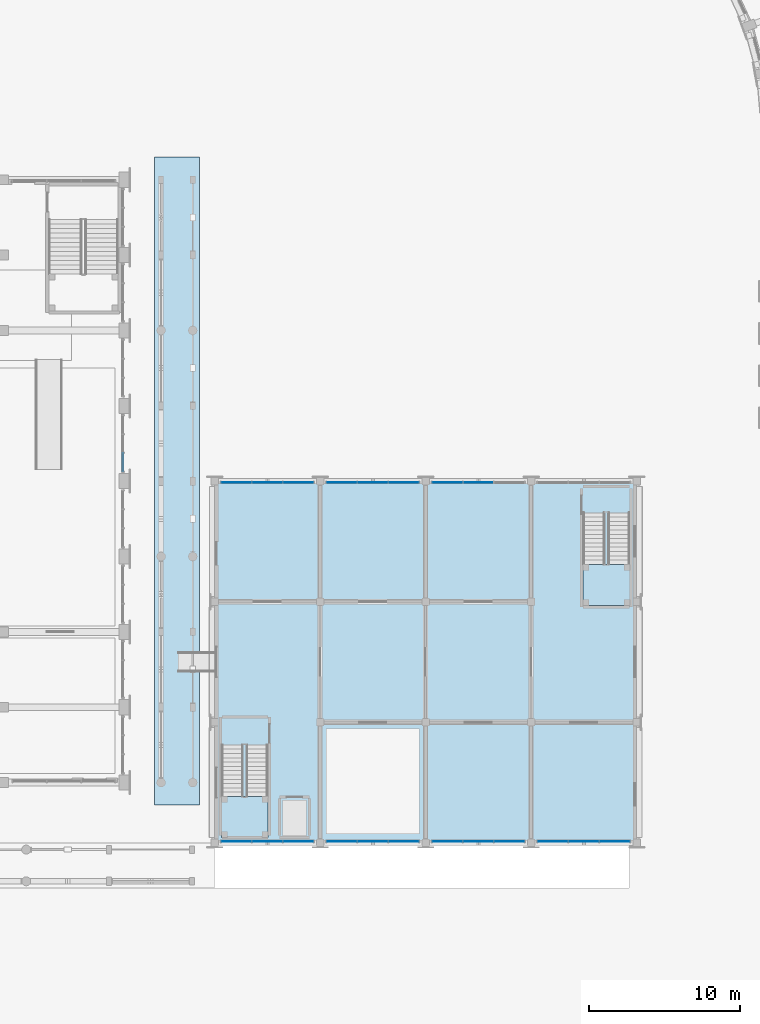
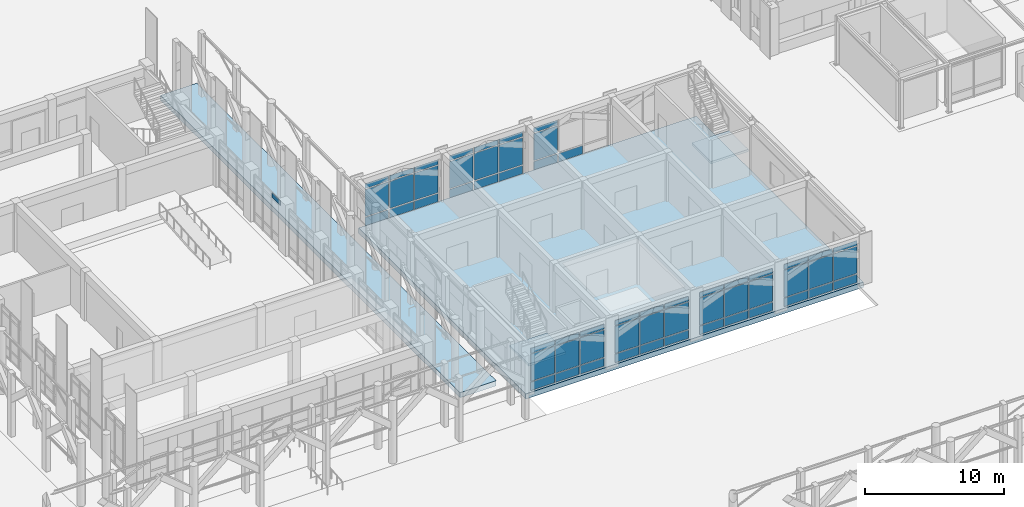
# One storey, part 62 of 135: 59 plates, 4 slabs, 10 elements without a shape of their own.
"""IFC4 building model written with IfcOpenShell, lengths in metres."""

from ifc_helpers import new_model, si_unit, direction, frame, origin, origin_2d, place, context, subcontext, project, spatial, polyline, rectangle, outline, extrude, material, layer, layer_set, type_object, element, aggregate, save


model = new_model("IFC4")

# Units and contexts
model_context = context("Model", 3, precision=1e-05, world=origin(), true_north=direction((0.0, 1.0)))
body_context = subcontext(model_context, "Body", "Model", "MODEL_VIEW")
ifc_project = project(units=[si_unit("LENGTHUNIT", "METRE"), si_unit("AREAUNIT", "SQUARE_METRE"), si_unit("VOLUMEUNIT", "CUBIC_METRE"), si_unit("PLANEANGLEUNIT", "RADIAN"), si_unit("MASSUNIT", "GRAM", prefix="KILO")], contexts=[model_context])

# Site, building, storey
site_placement = place(None, origin())
site = spatial("IfcSite", under=ifc_project, at=site_placement, CompositionType="ELEMENT")
building_placement = place(site_placement, origin())
building = spatial("IfcBuilding", under=site, at=building_placement, Name="Kiranvali Square Residences", CompositionType="ELEMENT")
storey_placement = place(building_placement, origin())
storey = spatial("IfcBuildingStorey", under=building, at=storey_placement, Name="L00", CompositionType="ELEMENT", Elevation=0.0)

# Curtain wall, plate
ifc_material_1 = material(Name="Anodised bronze aluminium framing", Category="aluminium")
curtain_wall_type_1 = type_object("IfcCurtainWallType", Name="CW-CH-GLZ", PredefinedType="USERDEFINED", material=ifc_material_1)
curtain_wall_1_placement = place(storey_placement, origin())
curtain_wall_1 = element("IfcCurtainWall", 1, at=curtain_wall_1_placement, inside=storey, type_object=curtain_wall_type_1, Name="Community Hall L00 E glazed arcade bay 5", ObjectType="CURTAIN WALL", PredefinedType="USERDEFINED")
ifc_material_2 = material(Name="Solar-control low-e double glazing", Category="glass")
ifc_layer_1 = layer(ifc_material_2, 0.028076171875)
ifc_layer_set_1 = layer_set([ifc_layer_1], Name="Solar-control low-e double glazing")
plate_type_1 = type_object("IfcPlateType", Name="PLT-CW-GLZ", PredefinedType="CURTAIN_PANEL", material=ifc_layer_set_1)
plate_1_placement = place(storey_placement, frame((95.919921875, 65.25341796875, 3.669921875), z_axis=(0.0, 0.0, 1.0), x_axis=(0.0, 1.0, 0.0)))
plate_1 = element("IfcPlate", 2, at=plate_1_placement, type_object=plate_type_1, Name="CW-CH-L00-E5 glazed panel 1.3", PredefinedType="CURTAIN_PANEL", context=body_context, shape_type="SweptSolid", body=[
    extrude(rectangle(XDim=1.166748046875, YDim=0.028076171875, at=origin_2d()), origin(), (0.0, 0.0, 1.0), 0.429931640625),
])
aggregate(curtain_wall_1, [plate_1])

# Curtain wall, plates
curtain_wall_type_2 = type_object("IfcCurtainWallType", Name="CW-PAV-GLZ", PredefinedType="USERDEFINED", material=ifc_material_1)
curtain_wall_2_placement = place(storey_placement, origin())
curtain_wall_2 = element("IfcCurtainWall", 3, at=curtain_wall_2_placement, inside=storey, type_object=curtain_wall_type_2, Name="Southeast Square Retail Pavilion south arcade curtain wall 1", ObjectType="CURTAIN WALL", PredefinedType="USERDEFINED")
plate_2_placement = place(storey_placement, frame((103.453369140625, 40.10009765625, 0.889892578125), z_axis=(0.0, 0.0, 1.0), x_axis=(1.0, 0.0, 0.0)))
plate_2 = element("IfcPlate", 4, at=plate_2_placement, type_object=plate_type_1, Name="CW-RT-S0-0 glazed panel 1.2", PredefinedType="CURTAIN_PANEL", context=body_context, shape_type="SweptSolid", body=[
    extrude(rectangle(XDim=1.966796875, YDim=0.028076171875, at=origin_2d()), origin(), (0.0, 0.0, 1.0), 2.3701171875),
])
plate_3_placement = place(storey_placement, frame((103.453369140625, 40.10009765625, 3.33984375), z_axis=(0.0, 0.0, 1.0), x_axis=(1.0, 0.0, 0.0)))
plate_3 = element("IfcPlate", 5, at=plate_3_placement, type_object=plate_type_1, Name="CW-RT-S0-0 glazed panel 1.3", PredefinedType="CURTAIN_PANEL", context=body_context, shape_type="SweptSolid", body=[
    extrude(rectangle(XDim=1.966796875, YDim=0.028076171875, at=origin_2d()), origin(), (0.0, 0.0, 1.0), 0.429931640625),
])
plate_4_placement = place(storey_placement, frame((105.5, 40.10009765625, 0.889892578125), z_axis=(0.0, 0.0, 1.0), x_axis=(1.0, 0.0, 0.0)))
plate_4 = element("IfcPlate", 6, at=plate_4_placement, type_object=plate_type_1, Name="CW-RT-S0-0 glazed panel 2.2", PredefinedType="CURTAIN_PANEL", context=body_context, shape_type="SweptSolid", body=[
    extrude(rectangle(XDim=1.966796875, YDim=0.028076171875, at=origin_2d()), origin(), (0.0, 0.0, 1.0), 2.3701171875),
])
plate_5_placement = place(storey_placement, frame((105.5, 40.10009765625, 3.33984375), z_axis=(0.0, 0.0, 1.0), x_axis=(1.0, 0.0, 0.0)))
plate_5 = element("IfcPlate", 7, at=plate_5_placement, type_object=plate_type_1, Name="CW-RT-S0-0 glazed panel 2.3", PredefinedType="CURTAIN_PANEL", context=body_context, shape_type="SweptSolid", body=[
    extrude(rectangle(XDim=1.966796875, YDim=0.028076171875, at=origin_2d()), origin(), (0.0, 0.0, 1.0), 0.429931640625),
])
plate_6_placement = place(storey_placement, frame((107.546630859375, 40.10009765625, 0.889892578125), z_axis=(0.0, 0.0, 1.0), x_axis=(1.0, 0.0, 0.0)))
plate_6 = element("IfcPlate", 8, at=plate_6_placement, type_object=plate_type_1, Name="CW-RT-S0-0 glazed panel 3.2", PredefinedType="CURTAIN_PANEL", context=body_context, shape_type="SweptSolid", body=[
    extrude(rectangle(XDim=1.966796875, YDim=0.028076171875, at=origin_2d()), origin(), (0.0, 0.0, 1.0), 2.3701171875),
])
plate_7_placement = place(storey_placement, frame((107.546630859375, 40.10009765625, 3.33984375), z_axis=(0.0, 0.0, 1.0), x_axis=(1.0, 0.0, 0.0)))
plate_7 = element("IfcPlate", 9, at=plate_7_placement, type_object=plate_type_1, Name="CW-RT-S0-0 glazed panel 3.3", PredefinedType="CURTAIN_PANEL", context=body_context, shape_type="SweptSolid", body=[
    extrude(rectangle(XDim=1.966796875, YDim=0.028076171875, at=origin_2d()), origin(), (0.0, 0.0, 1.0), 0.429931640625),
])

curtain_wall_3_placement = place(storey_placement, origin())
curtain_wall_3 = element("IfcCurtainWall", 10, at=curtain_wall_3_placement, inside=storey, type_object=curtain_wall_type_2, Name="Southeast Square Retail Pavilion north arcade curtain wall 1", ObjectType="CURTAIN WALL", PredefinedType="USERDEFINED")
plate_8_placement = place(storey_placement, frame((103.453369140625, 63.89990234375, 0.889892578125), z_axis=(0.0, 0.0, 1.0), x_axis=(1.0, 0.0, 0.0)))
plate_8 = element("IfcPlate", 11, at=plate_8_placement, type_object=plate_type_1, Name="CW-RT-N0-0 glazed panel 1.2", PredefinedType="CURTAIN_PANEL", context=body_context, shape_type="SweptSolid", body=[
    extrude(rectangle(XDim=1.966796875, YDim=0.028076171875, at=origin_2d()), origin(), (0.0, 0.0, 1.0), 2.3701171875),
])
plate_9_placement = place(storey_placement, frame((103.453369140625, 63.89990234375, 3.33984375), z_axis=(0.0, 0.0, 1.0), x_axis=(1.0, 0.0, 0.0)))
plate_9 = element("IfcPlate", 12, at=plate_9_placement, type_object=plate_type_1, Name="CW-RT-N0-0 glazed panel 1.3", PredefinedType="CURTAIN_PANEL", context=body_context, shape_type="SweptSolid", body=[
    extrude(rectangle(XDim=1.966796875, YDim=0.028076171875, at=origin_2d()), origin(), (0.0, 0.0, 1.0), 0.429931640625),
])
plate_10_placement = place(storey_placement, frame((105.5, 63.89990234375, 0.889892578125), z_axis=(0.0, 0.0, 1.0), x_axis=(1.0, 0.0, 0.0)))
plate_10 = element("IfcPlate", 13, at=plate_10_placement, type_object=plate_type_1, Name="CW-RT-N0-0 glazed panel 2.2", PredefinedType="CURTAIN_PANEL", context=body_context, shape_type="SweptSolid", body=[
    extrude(rectangle(XDim=1.966796875, YDim=0.028076171875, at=origin_2d()), origin(), (0.0, 0.0, 1.0), 2.3701171875),
])
plate_11_placement = place(storey_placement, frame((105.5, 63.89990234375, 3.33984375), z_axis=(0.0, 0.0, 1.0), x_axis=(1.0, 0.0, 0.0)))
plate_11 = element("IfcPlate", 14, at=plate_11_placement, type_object=plate_type_1, Name="CW-RT-N0-0 glazed panel 2.3", PredefinedType="CURTAIN_PANEL", context=body_context, shape_type="SweptSolid", body=[
    extrude(rectangle(XDim=1.966796875, YDim=0.028076171875, at=origin_2d()), origin(), (0.0, 0.0, 1.0), 0.429931640625),
])
plate_12_placement = place(storey_placement, frame((107.546630859375, 63.89990234375, 0.889892578125), z_axis=(0.0, 0.0, 1.0), x_axis=(1.0, 0.0, 0.0)))
plate_12 = element("IfcPlate", 15, at=plate_12_placement, type_object=plate_type_1, Name="CW-RT-N0-0 glazed panel 3.2", PredefinedType="CURTAIN_PANEL", context=body_context, shape_type="SweptSolid", body=[
    extrude(rectangle(XDim=1.966796875, YDim=0.028076171875, at=origin_2d()), origin(), (0.0, 0.0, 1.0), 2.3701171875),
])
plate_13_placement = place(storey_placement, frame((107.546630859375, 63.89990234375, 3.33984375), z_axis=(0.0, 0.0, 1.0), x_axis=(1.0, 0.0, 0.0)))
plate_13 = element("IfcPlate", 16, at=plate_13_placement, type_object=plate_type_1, Name="CW-RT-N0-0 glazed panel 3.3", PredefinedType="CURTAIN_PANEL", context=body_context, shape_type="SweptSolid", body=[
    extrude(rectangle(XDim=1.966796875, YDim=0.028076171875, at=origin_2d()), origin(), (0.0, 0.0, 1.0), 0.429931640625),
])

curtain_wall_4_placement = place(storey_placement, origin())
curtain_wall_4 = element("IfcCurtainWall", 17, at=curtain_wall_4_placement, inside=storey, type_object=curtain_wall_type_2, Name="Southeast Square Retail Pavilion south arcade curtain wall 2", ObjectType="CURTAIN WALL", PredefinedType="USERDEFINED")
plate_14_placement = place(storey_placement, frame((110.453369140625, 40.10009765625, 0.889892578125), z_axis=(0.0, 0.0, 1.0), x_axis=(1.0, 0.0, 0.0)))
plate_14 = element("IfcPlate", 18, at=plate_14_placement, type_object=plate_type_1, Name="CW-RT-S0-1 glazed panel 1.2", PredefinedType="CURTAIN_PANEL", context=body_context, shape_type="SweptSolid", body=[
    extrude(rectangle(XDim=1.966796875, YDim=0.028076171875, at=origin_2d()), origin(), (0.0, 0.0, 1.0), 2.3701171875),
])
plate_15_placement = place(storey_placement, frame((110.453369140625, 40.10009765625, 3.33984375), z_axis=(0.0, 0.0, 1.0), x_axis=(1.0, 0.0, 0.0)))
plate_15 = element("IfcPlate", 19, at=plate_15_placement, type_object=plate_type_1, Name="CW-RT-S0-1 glazed panel 1.3", PredefinedType="CURTAIN_PANEL", context=body_context, shape_type="SweptSolid", body=[
    extrude(rectangle(XDim=1.966796875, YDim=0.028076171875, at=origin_2d()), origin(), (0.0, 0.0, 1.0), 0.429931640625),
])
plate_16_placement = place(storey_placement, frame((112.5, 40.10009765625, 0.889892578125), z_axis=(0.0, 0.0, 1.0), x_axis=(1.0, 0.0, 0.0)))
plate_16 = element("IfcPlate", 20, at=plate_16_placement, type_object=plate_type_1, Name="CW-RT-S0-1 glazed panel 2.2", PredefinedType="CURTAIN_PANEL", context=body_context, shape_type="SweptSolid", body=[
    extrude(rectangle(XDim=1.966796875, YDim=0.028076171875, at=origin_2d()), origin(), (0.0, 0.0, 1.0), 2.3701171875),
])
plate_17_placement = place(storey_placement, frame((112.5, 40.10009765625, 3.33984375), z_axis=(0.0, 0.0, 1.0), x_axis=(1.0, 0.0, 0.0)))
plate_17 = element("IfcPlate", 21, at=plate_17_placement, type_object=plate_type_1, Name="CW-RT-S0-1 glazed panel 2.3", PredefinedType="CURTAIN_PANEL", context=body_context, shape_type="SweptSolid", body=[
    extrude(rectangle(XDim=1.966796875, YDim=0.028076171875, at=origin_2d()), origin(), (0.0, 0.0, 1.0), 0.429931640625),
])
plate_18_placement = place(storey_placement, frame((114.546630859375, 40.10009765625, 0.889892578125), z_axis=(0.0, 0.0, 1.0), x_axis=(1.0, 0.0, 0.0)))
plate_18 = element("IfcPlate", 22, at=plate_18_placement, type_object=plate_type_1, Name="CW-RT-S0-1 glazed panel 3.2", PredefinedType="CURTAIN_PANEL", context=body_context, shape_type="SweptSolid", body=[
    extrude(rectangle(XDim=1.966796875, YDim=0.028076171875, at=origin_2d()), origin(), (0.0, 0.0, 1.0), 2.3701171875),
])
plate_19_placement = place(storey_placement, frame((114.546630859375, 40.10009765625, 3.33984375), z_axis=(0.0, 0.0, 1.0), x_axis=(1.0, 0.0, 0.0)))
plate_19 = element("IfcPlate", 23, at=plate_19_placement, type_object=plate_type_1, Name="CW-RT-S0-1 glazed panel 3.3", PredefinedType="CURTAIN_PANEL", context=body_context, shape_type="SweptSolid", body=[
    extrude(rectangle(XDim=1.966796875, YDim=0.028076171875, at=origin_2d()), origin(), (0.0, 0.0, 1.0), 0.429931640625),
])

curtain_wall_5_placement = place(storey_placement, origin())
curtain_wall_5 = element("IfcCurtainWall", 24, at=curtain_wall_5_placement, inside=storey, type_object=curtain_wall_type_2, Name="Southeast Square Retail Pavilion north arcade curtain wall 2", ObjectType="CURTAIN WALL", PredefinedType="USERDEFINED")
plate_20_placement = place(storey_placement, frame((110.453369140625, 63.89990234375, 0.889892578125), z_axis=(0.0, 0.0, 1.0), x_axis=(1.0, 0.0, 0.0)))
plate_20 = element("IfcPlate", 25, at=plate_20_placement, type_object=plate_type_1, Name="CW-RT-N0-1 glazed panel 1.2", PredefinedType="CURTAIN_PANEL", context=body_context, shape_type="SweptSolid", body=[
    extrude(rectangle(XDim=1.966796875, YDim=0.028076171875, at=origin_2d()), origin(), (0.0, 0.0, 1.0), 2.3701171875),
])
plate_21_placement = place(storey_placement, frame((110.453369140625, 63.89990234375, 3.33984375), z_axis=(0.0, 0.0, 1.0), x_axis=(1.0, 0.0, 0.0)))
plate_21 = element("IfcPlate", 26, at=plate_21_placement, type_object=plate_type_1, Name="CW-RT-N0-1 glazed panel 1.3", PredefinedType="CURTAIN_PANEL", context=body_context, shape_type="SweptSolid", body=[
    extrude(rectangle(XDim=1.966796875, YDim=0.028076171875, at=origin_2d()), origin(), (0.0, 0.0, 1.0), 0.429931640625),
])
plate_22_placement = place(storey_placement, frame((112.5, 63.89990234375, 0.889892578125), z_axis=(0.0, 0.0, 1.0), x_axis=(1.0, 0.0, 0.0)))
plate_22 = element("IfcPlate", 27, at=plate_22_placement, type_object=plate_type_1, Name="CW-RT-N0-1 glazed panel 2.2", PredefinedType="CURTAIN_PANEL", context=body_context, shape_type="SweptSolid", body=[
    extrude(rectangle(XDim=1.966796875, YDim=0.028076171875, at=origin_2d()), origin(), (0.0, 0.0, 1.0), 2.3701171875),
])
plate_23_placement = place(storey_placement, frame((112.5, 63.89990234375, 3.33984375), z_axis=(0.0, 0.0, 1.0), x_axis=(1.0, 0.0, 0.0)))
plate_23 = element("IfcPlate", 28, at=plate_23_placement, type_object=plate_type_1, Name="CW-RT-N0-1 glazed panel 2.3", PredefinedType="CURTAIN_PANEL", context=body_context, shape_type="SweptSolid", body=[
    extrude(rectangle(XDim=1.966796875, YDim=0.028076171875, at=origin_2d()), origin(), (0.0, 0.0, 1.0), 0.429931640625),
])
plate_24_placement = place(storey_placement, frame((114.546630859375, 63.89990234375, 0.889892578125), z_axis=(0.0, 0.0, 1.0), x_axis=(1.0, 0.0, 0.0)))
plate_24 = element("IfcPlate", 29, at=plate_24_placement, type_object=plate_type_1, Name="CW-RT-N0-1 glazed panel 3.2", PredefinedType="CURTAIN_PANEL", context=body_context, shape_type="SweptSolid", body=[
    extrude(rectangle(XDim=1.966796875, YDim=0.028076171875, at=origin_2d()), origin(), (0.0, 0.0, 1.0), 2.3701171875),
])
plate_25_placement = place(storey_placement, frame((114.546630859375, 63.89990234375, 3.33984375), z_axis=(0.0, 0.0, 1.0), x_axis=(1.0, 0.0, 0.0)))
plate_25 = element("IfcPlate", 30, at=plate_25_placement, type_object=plate_type_1, Name="CW-RT-N0-1 glazed panel 3.3", PredefinedType="CURTAIN_PANEL", context=body_context, shape_type="SweptSolid", body=[
    extrude(rectangle(XDim=1.966796875, YDim=0.028076171875, at=origin_2d()), origin(), (0.0, 0.0, 1.0), 0.429931640625),
])

curtain_wall_6_placement = place(storey_placement, origin())
curtain_wall_6 = element("IfcCurtainWall", 31, at=curtain_wall_6_placement, inside=storey, type_object=curtain_wall_type_2, Name="Southeast Square Retail Pavilion south arcade curtain wall 3", ObjectType="CURTAIN WALL", PredefinedType="USERDEFINED")
plate_26_placement = place(storey_placement, frame((117.453369140625, 40.10009765625, 0.889892578125), z_axis=(0.0, 0.0, 1.0), x_axis=(1.0, 0.0, 0.0)))
plate_26 = element("IfcPlate", 32, at=plate_26_placement, type_object=plate_type_1, Name="CW-RT-S0-2 glazed panel 1.2", PredefinedType="CURTAIN_PANEL", context=body_context, shape_type="SweptSolid", body=[
    extrude(rectangle(XDim=1.966796875, YDim=0.028076171875, at=origin_2d()), origin(), (0.0, 0.0, 1.0), 2.3701171875),
])
plate_27_placement = place(storey_placement, frame((117.453369140625, 40.10009765625, 3.33984375), z_axis=(0.0, 0.0, 1.0), x_axis=(1.0, 0.0, 0.0)))
plate_27 = element("IfcPlate", 33, at=plate_27_placement, type_object=plate_type_1, Name="CW-RT-S0-2 glazed panel 1.3", PredefinedType="CURTAIN_PANEL", context=body_context, shape_type="SweptSolid", body=[
    extrude(rectangle(XDim=1.966796875, YDim=0.028076171875, at=origin_2d()), origin(), (0.0, 0.0, 1.0), 0.429931640625),
])
plate_28_placement = place(storey_placement, frame((119.5, 40.10009765625, 0.889892578125), z_axis=(0.0, 0.0, 1.0), x_axis=(1.0, 0.0, 0.0)))
plate_28 = element("IfcPlate", 34, at=plate_28_placement, type_object=plate_type_1, Name="CW-RT-S0-2 glazed panel 2.2", PredefinedType="CURTAIN_PANEL", context=body_context, shape_type="SweptSolid", body=[
    extrude(rectangle(XDim=1.966796875, YDim=0.028076171875, at=origin_2d()), origin(), (0.0, 0.0, 1.0), 2.3701171875),
])
plate_29_placement = place(storey_placement, frame((119.5, 40.10009765625, 3.33984375), z_axis=(0.0, 0.0, 1.0), x_axis=(1.0, 0.0, 0.0)))
plate_29 = element("IfcPlate", 35, at=plate_29_placement, type_object=plate_type_1, Name="CW-RT-S0-2 glazed panel 2.3", PredefinedType="CURTAIN_PANEL", context=body_context, shape_type="SweptSolid", body=[
    extrude(rectangle(XDim=1.966796875, YDim=0.028076171875, at=origin_2d()), origin(), (0.0, 0.0, 1.0), 0.429931640625),
])
plate_30_placement = place(storey_placement, frame((121.546630859375, 40.10009765625, 0.889892578125), z_axis=(0.0, 0.0, 1.0), x_axis=(1.0, 0.0, 0.0)))
plate_30 = element("IfcPlate", 36, at=plate_30_placement, type_object=plate_type_1, Name="CW-RT-S0-2 glazed panel 3.2", PredefinedType="CURTAIN_PANEL", context=body_context, shape_type="SweptSolid", body=[
    extrude(rectangle(XDim=1.966796875, YDim=0.028076171875, at=origin_2d()), origin(), (0.0, 0.0, 1.0), 2.3701171875),
])
plate_31_placement = place(storey_placement, frame((121.546630859375, 40.10009765625, 3.33984375), z_axis=(0.0, 0.0, 1.0), x_axis=(1.0, 0.0, 0.0)))
plate_31 = element("IfcPlate", 37, at=plate_31_placement, type_object=plate_type_1, Name="CW-RT-S0-2 glazed panel 3.3", PredefinedType="CURTAIN_PANEL", context=body_context, shape_type="SweptSolid", body=[
    extrude(rectangle(XDim=1.966796875, YDim=0.028076171875, at=origin_2d()), origin(), (0.0, 0.0, 1.0), 0.429931640625),
])

curtain_wall_7_placement = place(storey_placement, origin())
curtain_wall_7 = element("IfcCurtainWall", 38, at=curtain_wall_7_placement, inside=storey, type_object=curtain_wall_type_2, Name="Southeast Square Retail Pavilion north arcade curtain wall 3", ObjectType="CURTAIN WALL", PredefinedType="USERDEFINED")
plate_32_placement = place(storey_placement, frame((117.453369140625, 63.89990234375, 0.889892578125), z_axis=(0.0, 0.0, 1.0), x_axis=(1.0, 0.0, 0.0)))
plate_32 = element("IfcPlate", 39, at=plate_32_placement, type_object=plate_type_1, Name="CW-RT-N0-2 glazed panel 1.2", PredefinedType="CURTAIN_PANEL", context=body_context, shape_type="SweptSolid", body=[
    extrude(rectangle(XDim=1.966796875, YDim=0.028076171875, at=origin_2d()), origin(), (0.0, 0.0, 1.0), 2.3701171875),
])
plate_33_placement = place(storey_placement, frame((117.453369140625, 63.89990234375, 3.33984375), z_axis=(0.0, 0.0, 1.0), x_axis=(1.0, 0.0, 0.0)))
plate_33 = element("IfcPlate", 40, at=plate_33_placement, type_object=plate_type_1, Name="CW-RT-N0-2 glazed panel 1.3", PredefinedType="CURTAIN_PANEL", context=body_context, shape_type="SweptSolid", body=[
    extrude(rectangle(XDim=1.966796875, YDim=0.028076171875, at=origin_2d()), origin(), (0.0, 0.0, 1.0), 0.429931640625),
])

curtain_wall_8_placement = place(storey_placement, origin())
curtain_wall_8 = element("IfcCurtainWall", 41, at=curtain_wall_8_placement, inside=storey, type_object=curtain_wall_type_2, Name="Southeast Square Retail Pavilion south arcade curtain wall 4", ObjectType="CURTAIN WALL", PredefinedType="USERDEFINED")
plate_34_placement = place(storey_placement, frame((124.453369140625, 40.10009765625, 0.889892578125), z_axis=(0.0, 0.0, 1.0), x_axis=(1.0, 0.0, 0.0)))
plate_34 = element("IfcPlate", 42, at=plate_34_placement, type_object=plate_type_1, Name="CW-RT-S0-3 glazed panel 1.2", PredefinedType="CURTAIN_PANEL", context=body_context, shape_type="SweptSolid", body=[
    extrude(rectangle(XDim=1.966796875, YDim=0.028076171875, at=origin_2d()), origin(), (0.0, 0.0, 1.0), 2.3701171875),
])
plate_35_placement = place(storey_placement, frame((124.453369140625, 40.10009765625, 3.33984375), z_axis=(0.0, 0.0, 1.0), x_axis=(1.0, 0.0, 0.0)))
plate_35 = element("IfcPlate", 43, at=plate_35_placement, type_object=plate_type_1, Name="CW-RT-S0-3 glazed panel 1.3", PredefinedType="CURTAIN_PANEL", context=body_context, shape_type="SweptSolid", body=[
    extrude(rectangle(XDim=1.966796875, YDim=0.028076171875, at=origin_2d()), origin(), (0.0, 0.0, 1.0), 0.429931640625),
])
plate_36_placement = place(storey_placement, frame((126.5, 40.10009765625, 0.889892578125), z_axis=(0.0, 0.0, 1.0), x_axis=(1.0, 0.0, 0.0)))
plate_36 = element("IfcPlate", 44, at=plate_36_placement, type_object=plate_type_1, Name="CW-RT-S0-3 glazed panel 2.2", PredefinedType="CURTAIN_PANEL", context=body_context, shape_type="SweptSolid", body=[
    extrude(rectangle(XDim=1.966796875, YDim=0.028076171875, at=origin_2d()), origin(), (0.0, 0.0, 1.0), 2.3701171875),
])
plate_37_placement = place(storey_placement, frame((126.5, 40.10009765625, 3.33984375), z_axis=(0.0, 0.0, 1.0), x_axis=(1.0, 0.0, 0.0)))
plate_37 = element("IfcPlate", 45, at=plate_37_placement, type_object=plate_type_1, Name="CW-RT-S0-3 glazed panel 2.3", PredefinedType="CURTAIN_PANEL", context=body_context, shape_type="SweptSolid", body=[
    extrude(rectangle(XDim=1.966796875, YDim=0.028076171875, at=origin_2d()), origin(), (0.0, 0.0, 1.0), 0.429931640625),
])
plate_38_placement = place(storey_placement, frame((128.546630859375, 40.10009765625, 0.889892578125), z_axis=(0.0, 0.0, 1.0), x_axis=(1.0, 0.0, 0.0)))
plate_38 = element("IfcPlate", 46, at=plate_38_placement, type_object=plate_type_1, Name="CW-RT-S0-3 glazed panel 3.2", PredefinedType="CURTAIN_PANEL", context=body_context, shape_type="SweptSolid", body=[
    extrude(rectangle(XDim=1.966796875, YDim=0.028076171875, at=origin_2d()), origin(), (0.0, 0.0, 1.0), 2.3701171875),
])
plate_39_placement = place(storey_placement, frame((128.546630859375, 40.10009765625, 3.33984375), z_axis=(0.0, 0.0, 1.0), x_axis=(1.0, 0.0, 0.0)))
plate_39 = element("IfcPlate", 47, at=plate_39_placement, type_object=plate_type_1, Name="CW-RT-S0-3 glazed panel 3.3", PredefinedType="CURTAIN_PANEL", context=body_context, shape_type="SweptSolid", body=[
    extrude(rectangle(XDim=1.966796875, YDim=0.028076171875, at=origin_2d()), origin(), (0.0, 0.0, 1.0), 0.429931640625),
])

# Plate
ifc_material_3 = material(Name="Honed Porbandar limestone ashlar facade cladding", Category="masonry")
ifc_layer_2 = layer(ifc_material_3, 0.02392578125)
ifc_layer_set_2 = layer_set([ifc_layer_2], Name="Honed Porbandar limestone ashlar facade cladding")
plate_type_2 = type_object("IfcPlateType", Name="PLT-CW-SPN", PredefinedType="SHEET", material=ifc_layer_set_2)
plate_40_placement = place(storey_placement, frame((103.453369140625, 40.10009765625, 0.080078125), z_axis=(0.0, 0.0, 1.0), x_axis=(1.0, 0.0, 0.0)))
plate_40 = element("IfcPlate", 48, at=plate_40_placement, type_object=plate_type_2, Name="CW-RT-S0-0 spandrel panel 1.1", PredefinedType="SHEET", context=body_context, shape_type="SweptSolid", body=[
    extrude(rectangle(XDim=1.966796875, YDim=0.02392578125, at=origin_2d()), origin(), (0.0, 0.0, 1.0), 0.72998046875),
])

plate_41_placement = place(storey_placement, frame((105.5, 40.10009765625, 0.080078125), z_axis=(0.0, 0.0, 1.0), x_axis=(1.0, 0.0, 0.0)))
plate_41 = element("IfcPlate", 49, at=plate_41_placement, type_object=plate_type_2, Name="CW-RT-S0-0 spandrel panel 2.1", PredefinedType="SHEET", context=body_context, shape_type="SweptSolid", body=[
    extrude(rectangle(XDim=1.966796875, YDim=0.02392578125, at=origin_2d()), origin(), (0.0, 0.0, 1.0), 0.72998046875),
])

plate_42_placement = place(storey_placement, frame((107.546630859375, 40.10009765625, 0.080078125), z_axis=(0.0, 0.0, 1.0), x_axis=(1.0, 0.0, 0.0)))
plate_42 = element("IfcPlate", 50, at=plate_42_placement, type_object=plate_type_2, Name="CW-RT-S0-0 spandrel panel 3.1", PredefinedType="SHEET", context=body_context, shape_type="SweptSolid", body=[
    extrude(rectangle(XDim=1.966796875, YDim=0.02392578125, at=origin_2d()), origin(), (0.0, 0.0, 1.0), 0.72998046875),
])

aggregate(curtain_wall_2, [plate_40, plate_2, plate_3, plate_41, plate_4, plate_5, plate_42, plate_6, plate_7])

plate_43_placement = place(storey_placement, frame((103.453369140625, 63.89990234375, 0.080078125), z_axis=(0.0, 0.0, 1.0), x_axis=(1.0, 0.0, 0.0)))
plate_43 = element("IfcPlate", 51, at=plate_43_placement, type_object=plate_type_2, Name="CW-RT-N0-0 spandrel panel 1.1", PredefinedType="SHEET", context=body_context, shape_type="SweptSolid", body=[
    extrude(rectangle(XDim=1.966796875, YDim=0.02392578125, at=origin_2d()), origin(), (0.0, 0.0, 1.0), 0.72998046875),
])

plate_44_placement = place(storey_placement, frame((105.5, 63.89990234375, 0.080078125), z_axis=(0.0, 0.0, 1.0), x_axis=(1.0, 0.0, 0.0)))
plate_44 = element("IfcPlate", 52, at=plate_44_placement, type_object=plate_type_2, Name="CW-RT-N0-0 spandrel panel 2.1", PredefinedType="SHEET", context=body_context, shape_type="SweptSolid", body=[
    extrude(rectangle(XDim=1.966796875, YDim=0.02392578125, at=origin_2d()), origin(), (0.0, 0.0, 1.0), 0.72998046875),
])

plate_45_placement = place(storey_placement, frame((107.546630859375, 63.89990234375, 0.080078125), z_axis=(0.0, 0.0, 1.0), x_axis=(1.0, 0.0, 0.0)))
plate_45 = element("IfcPlate", 53, at=plate_45_placement, type_object=plate_type_2, Name="CW-RT-N0-0 spandrel panel 3.1", PredefinedType="SHEET", context=body_context, shape_type="SweptSolid", body=[
    extrude(rectangle(XDim=1.966796875, YDim=0.02392578125, at=origin_2d()), origin(), (0.0, 0.0, 1.0), 0.72998046875),
])

aggregate(curtain_wall_3, [plate_43, plate_8, plate_9, plate_44, plate_10, plate_11, plate_45, plate_12, plate_13])

plate_46_placement = place(storey_placement, frame((110.453369140625, 40.10009765625, 0.080078125), z_axis=(0.0, 0.0, 1.0), x_axis=(1.0, 0.0, 0.0)))
plate_46 = element("IfcPlate", 54, at=plate_46_placement, type_object=plate_type_2, Name="CW-RT-S0-1 spandrel panel 1.1", PredefinedType="SHEET", context=body_context, shape_type="SweptSolid", body=[
    extrude(rectangle(XDim=1.966796875, YDim=0.02392578125, at=origin_2d()), origin(), (0.0, 0.0, 1.0), 0.72998046875),
])

plate_47_placement = place(storey_placement, frame((112.5, 40.10009765625, 0.080078125), z_axis=(0.0, 0.0, 1.0), x_axis=(1.0, 0.0, 0.0)))
plate_47 = element("IfcPlate", 55, at=plate_47_placement, type_object=plate_type_2, Name="CW-RT-S0-1 spandrel panel 2.1", PredefinedType="SHEET", context=body_context, shape_type="SweptSolid", body=[
    extrude(rectangle(XDim=1.966796875, YDim=0.02392578125, at=origin_2d()), origin(), (0.0, 0.0, 1.0), 0.72998046875),
])

plate_48_placement = place(storey_placement, frame((114.546630859375, 40.10009765625, 0.080078125), z_axis=(0.0, 0.0, 1.0), x_axis=(1.0, 0.0, 0.0)))
plate_48 = element("IfcPlate", 56, at=plate_48_placement, type_object=plate_type_2, Name="CW-RT-S0-1 spandrel panel 3.1", PredefinedType="SHEET", context=body_context, shape_type="SweptSolid", body=[
    extrude(rectangle(XDim=1.966796875, YDim=0.02392578125, at=origin_2d()), origin(), (0.0, 0.0, 1.0), 0.72998046875),
])

aggregate(curtain_wall_4, [plate_46, plate_14, plate_15, plate_47, plate_16, plate_17, plate_48, plate_18, plate_19])

plate_49_placement = place(storey_placement, frame((110.453369140625, 63.89990234375, 0.080078125), z_axis=(0.0, 0.0, 1.0), x_axis=(1.0, 0.0, 0.0)))
plate_49 = element("IfcPlate", 57, at=plate_49_placement, type_object=plate_type_2, Name="CW-RT-N0-1 spandrel panel 1.1", PredefinedType="SHEET", context=body_context, shape_type="SweptSolid", body=[
    extrude(rectangle(XDim=1.966796875, YDim=0.02392578125, at=origin_2d()), origin(), (0.0, 0.0, 1.0), 0.72998046875),
])

plate_50_placement = place(storey_placement, frame((112.5, 63.89990234375, 0.080078125), z_axis=(0.0, 0.0, 1.0), x_axis=(1.0, 0.0, 0.0)))
plate_50 = element("IfcPlate", 58, at=plate_50_placement, type_object=plate_type_2, Name="CW-RT-N0-1 spandrel panel 2.1", PredefinedType="SHEET", context=body_context, shape_type="SweptSolid", body=[
    extrude(rectangle(XDim=1.966796875, YDim=0.02392578125, at=origin_2d()), origin(), (0.0, 0.0, 1.0), 0.72998046875),
])

plate_51_placement = place(storey_placement, frame((114.546630859375, 63.89990234375, 0.080078125), z_axis=(0.0, 0.0, 1.0), x_axis=(1.0, 0.0, 0.0)))
plate_51 = element("IfcPlate", 59, at=plate_51_placement, type_object=plate_type_2, Name="CW-RT-N0-1 spandrel panel 3.1", PredefinedType="SHEET", context=body_context, shape_type="SweptSolid", body=[
    extrude(rectangle(XDim=1.966796875, YDim=0.02392578125, at=origin_2d()), origin(), (0.0, 0.0, 1.0), 0.72998046875),
])

aggregate(curtain_wall_5, [plate_49, plate_20, plate_21, plate_50, plate_22, plate_23, plate_51, plate_24, plate_25])

plate_52_placement = place(storey_placement, frame((117.453369140625, 40.10009765625, 0.080078125), z_axis=(0.0, 0.0, 1.0), x_axis=(1.0, 0.0, 0.0)))
plate_52 = element("IfcPlate", 60, at=plate_52_placement, type_object=plate_type_2, Name="CW-RT-S0-2 spandrel panel 1.1", PredefinedType="SHEET", context=body_context, shape_type="SweptSolid", body=[
    extrude(rectangle(XDim=1.966796875, YDim=0.02392578125, at=origin_2d()), origin(), (0.0, 0.0, 1.0), 0.72998046875),
])

plate_53_placement = place(storey_placement, frame((119.5, 40.10009765625, 0.080078125), z_axis=(0.0, 0.0, 1.0), x_axis=(1.0, 0.0, 0.0)))
plate_53 = element("IfcPlate", 61, at=plate_53_placement, type_object=plate_type_2, Name="CW-RT-S0-2 spandrel panel 2.1", PredefinedType="SHEET", context=body_context, shape_type="SweptSolid", body=[
    extrude(rectangle(XDim=1.966796875, YDim=0.02392578125, at=origin_2d()), origin(), (0.0, 0.0, 1.0), 0.72998046875),
])

plate_54_placement = place(storey_placement, frame((121.546630859375, 40.10009765625, 0.080078125), z_axis=(0.0, 0.0, 1.0), x_axis=(1.0, 0.0, 0.0)))
plate_54 = element("IfcPlate", 62, at=plate_54_placement, type_object=plate_type_2, Name="CW-RT-S0-2 spandrel panel 3.1", PredefinedType="SHEET", context=body_context, shape_type="SweptSolid", body=[
    extrude(rectangle(XDim=1.966796875, YDim=0.02392578125, at=origin_2d()), origin(), (0.0, 0.0, 1.0), 0.72998046875),
])

aggregate(curtain_wall_6, [plate_52, plate_26, plate_27, plate_53, plate_28, plate_29, plate_54, plate_30, plate_31])

plate_55_placement = place(storey_placement, frame((117.453369140625, 63.89990234375, 0.080078125), z_axis=(0.0, 0.0, 1.0), x_axis=(1.0, 0.0, 0.0)))
plate_55 = element("IfcPlate", 63, at=plate_55_placement, type_object=plate_type_2, Name="CW-RT-N0-2 spandrel panel 1.1", PredefinedType="SHEET", context=body_context, shape_type="SweptSolid", body=[
    extrude(rectangle(XDim=1.966796875, YDim=0.02392578125, at=origin_2d()), origin(), (0.0, 0.0, 1.0), 0.72998046875),
])

plate_56_placement = place(storey_placement, frame((119.5, 63.89990234375, 0.080078125), z_axis=(0.0, 0.0, 1.0), x_axis=(1.0, 0.0, 0.0)))
plate_56 = element("IfcPlate", 64, at=plate_56_placement, type_object=plate_type_2, Name="CW-RT-N0-2 spandrel panel 2.1", PredefinedType="SHEET", context=body_context, shape_type="SweptSolid", body=[
    extrude(rectangle(XDim=1.966796875, YDim=0.02392578125, at=origin_2d()), origin(), (0.0, 0.0, 1.0), 0.72998046875),
])

aggregate(curtain_wall_7, [plate_55, plate_32, plate_33, plate_56])

plate_57_placement = place(storey_placement, frame((124.453369140625, 40.10009765625, 0.080078125), z_axis=(0.0, 0.0, 1.0), x_axis=(1.0, 0.0, 0.0)))
plate_57 = element("IfcPlate", 65, at=plate_57_placement, type_object=plate_type_2, Name="CW-RT-S0-3 spandrel panel 1.1", PredefinedType="SHEET", context=body_context, shape_type="SweptSolid", body=[
    extrude(rectangle(XDim=1.966796875, YDim=0.02392578125, at=origin_2d()), origin(), (0.0, 0.0, 1.0), 0.72998046875),
])

plate_58_placement = place(storey_placement, frame((126.5, 40.10009765625, 0.080078125), z_axis=(0.0, 0.0, 1.0), x_axis=(1.0, 0.0, 0.0)))
plate_58 = element("IfcPlate", 66, at=plate_58_placement, type_object=plate_type_2, Name="CW-RT-S0-3 spandrel panel 2.1", PredefinedType="SHEET", context=body_context, shape_type="SweptSolid", body=[
    extrude(rectangle(XDim=1.966796875, YDim=0.02392578125, at=origin_2d()), origin(), (0.0, 0.0, 1.0), 0.72998046875),
])

plate_59_placement = place(storey_placement, frame((128.546630859375, 40.10009765625, 0.080078125), z_axis=(0.0, 0.0, 1.0), x_axis=(1.0, 0.0, 0.0)))
plate_59 = element("IfcPlate", 67, at=plate_59_placement, type_object=plate_type_2, Name="CW-RT-S0-3 spandrel panel 3.1", PredefinedType="SHEET", context=body_context, shape_type="SweptSolid", body=[
    extrude(rectangle(XDim=1.966796875, YDim=0.02392578125, at=origin_2d()), origin(), (0.0, 0.0, 1.0), 0.72998046875),
])

aggregate(curtain_wall_8, [plate_57, plate_34, plate_35, plate_58, plate_36, plate_37, plate_59, plate_38, plate_39])

# Slabs
ifc_material_4 = material(Name="Concrete M40 (40 MPa)", Category="concrete")
ifc_layer_3 = layer(ifc_material_4, 0.449951171875)
ifc_layer_set_3 = layer_set([ifc_layer_3], Name="Concrete M40 (40 MPa)")
slab_type_1 = type_object("IfcSlabType", Name="SLB-BASE-450", PredefinedType="BASESLAB", material=ifc_layer_set_3)
slab_1_placement = place(storey_placement, frame((0.0, 0.0, -0.449951171875)))
element("IfcSlab", 68, at=slab_1_placement, inside=storey, type_object=slab_type_1, Name="Southeast Square Retail Pavilion ground base slab", PredefinedType="BASESLAB", context=body_context, shape_type="SweptSolid", body=[
    extrude(outline(polyline([(102.0, 40.0), (130.0, 40.0), (130.0, 64.0), (102.0, 64.0), (102.0, 40.0)])), origin(), (0.0, 0.0, 1.0), 0.449951171875),
])
slab_2_placement = place(storey_placement, frame((0.0, 0.0, -0.449951171875)))
element("IfcSlab", 69, at=slab_2_placement, inside=storey, type_object=slab_type_1, Name="Classical Ottoman colonnade stone stylobate ARC-GDN-E", PredefinedType="BASESLAB", context=body_context, shape_type="SweptSolid", body=[
    extrude(outline(polyline([(98.0, 42.5), (101.0, 42.5), (101.0, 85.5), (98.0, 85.5), (98.0, 42.5)])), origin(), (0.0, 0.0, 1.0), 0.449951171875),
])

# Stair, slab
ifc_material_5 = material(Name="Concrete M35 (35 MPa)", Category="concrete")
stair_type = type_object("IfcStairType", Name="ST-CORE-1700", PredefinedType="HALF_TURN_STAIR", material=ifc_material_5)
stair_1_placement = place(storey_placement, origin())
stair_1 = element("IfcStair", 70, at=stair_1_placement, inside=storey, type_object=stair_type, Name="L00 Retail Pavilion Exit Stair 1", PredefinedType="HALF_TURN_STAIR")
ifc_layer_4 = layer(ifc_material_5, 0.199951171875)
ifc_layer_set_4 = layer_set([ifc_layer_4], Name="Concrete M35 (35 MPa)")
slab_type_2 = type_object("IfcSlabType", Name="SLB-LND-200", PredefinedType="LANDING", material=ifc_layer_set_4)
slab_3_placement = place(storey_placement, frame((0.0, 0.0, 2.050048828125)))
slab_3 = element("IfcSlab", 71, at=slab_3_placement, type_object=slab_type_2, Name="ST-RT1 landing 1", PredefinedType="LANDING", context=body_context, shape_type="SweptSolid", body=[
    extrude(outline(polyline([(102.449951171875, 43.080078125), (102.449951171875, 40.35009765625), (105.550048828125, 40.35009765625), (105.550048828125, 43.080078125), (102.449951171875, 43.080078125)])), origin(), (0.0, 0.0, 1.0), 0.199951171875),
])
aggregate(stair_1, [slab_3])

stair_2_placement = place(storey_placement, origin())
stair_2 = element("IfcStair", 72, at=stair_2_placement, inside=storey, type_object=stair_type, Name="L00 Retail Pavilion Exit Stair 2", PredefinedType="HALF_TURN_STAIR")
slab_4_placement = place(storey_placement, frame((0.0, 0.0, 2.050048828125)))
slab_4 = element("IfcSlab", 73, at=slab_4_placement, type_object=slab_type_2, Name="ST-RT2 landing 1", PredefinedType="LANDING", context=body_context, shape_type="SweptSolid", body=[
    extrude(outline(polyline([(126.449951171875, 58.47998046875), (126.449951171875, 55.75), (129.550048828125, 55.75), (129.550048828125, 58.47998046875), (126.449951171875, 58.47998046875)])), origin(), (0.0, 0.0, 1.0), 0.199951171875),
])
aggregate(stair_2, [slab_4])

save(model, "model.ifc")
